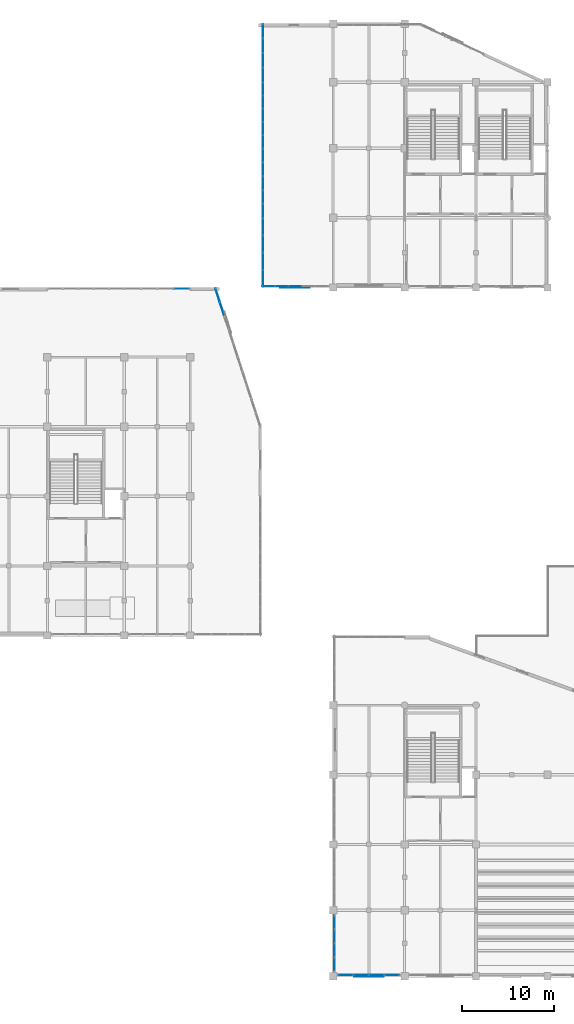
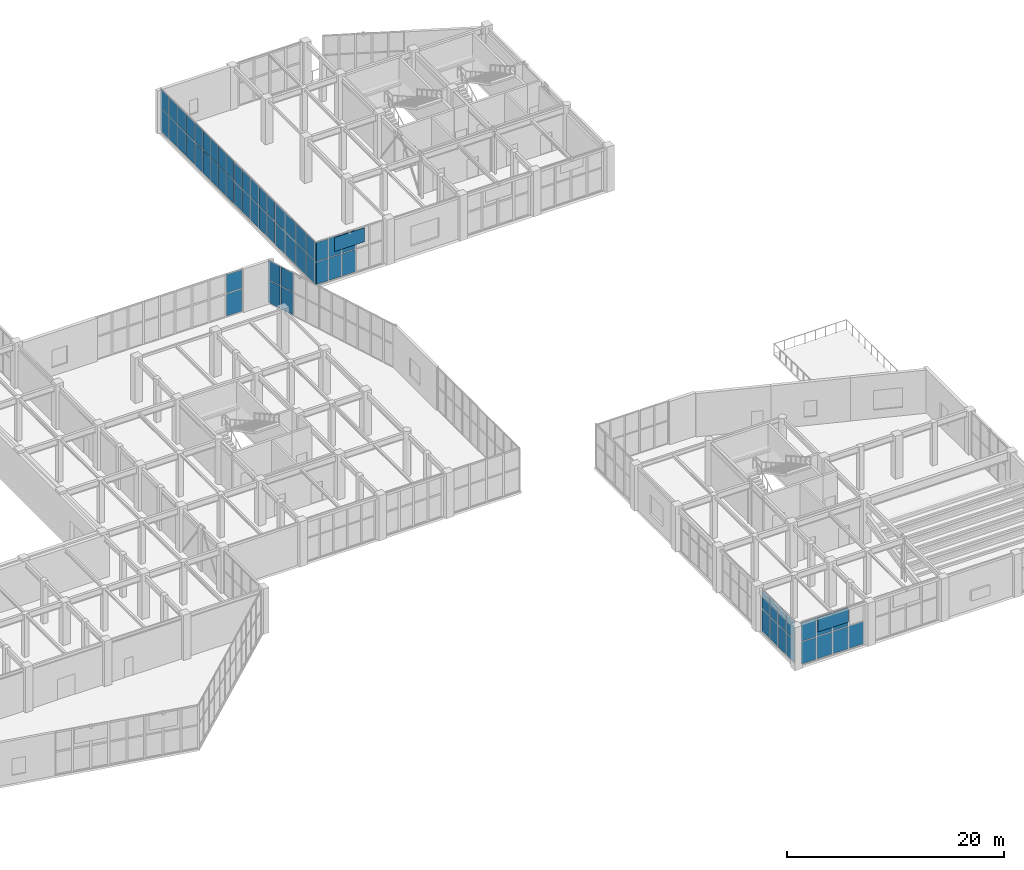
# One storey, part 102 of 128: 65 plates, 9 elements without a shape of their own.
"""IFC4 building model written with IfcOpenShell, lengths in metres."""

import ifcopenshell
import ifcopenshell.guid

model = None  # the IFC model being written
_history = None  # IfcOwnerHistory: only IFC2X3 demands one
_inside = {}  # id of a spatial element -> (the spatial element, [elements in it])
_under = {}  # id of a project, library or spatial element -> (it, [spatial elements below it])
_declared = {}  # id of a project -> (the project, [libraries it declares])
_typed = {}  # id of a type object -> (the type object, [elements of that type])
_made_of = {}  # id of a material, layer set ... -> (it, [elements and type objects made of it])


def new_model(schema):
    """Start an empty IFC model of exactly this schema.

    Asked for "IFC4X3", IfcOpenShell would pick the latest addendum, in which some entities
    have other attributes; the version numbers below select the first issue.
    IFC2X3 requires an IfcOwnerHistory on every rooted entity: one is made here for all.
    """
    global model, _history
    if schema == "IFC4X3":
        model = ifcopenshell.file(schema_version=(4, 3, 0, 0))
    else:
        model = ifcopenshell.file(schema=schema)
    _inside.clear()
    _under.clear()
    _declared.clear()
    _typed.clear()
    _made_of.clear()
    _history = None
    if model.schema == "IFC2X3":
        org = make("IfcOrganization", Name="unknown")
        user = make(
            "IfcPersonAndOrganization",
            ThePerson=make("IfcPerson", FamilyName="unknown"),
            TheOrganization=org,
        )
        app = make(
            "IfcApplication",
            ApplicationDeveloper=org,
            Version="unknown",
            ApplicationFullName="unknown",
            ApplicationIdentifier="unknown",
        )
        _history = make(
            "IfcOwnerHistory",
            OwningUser=user,
            OwningApplication=app,
            ChangeAction="ADDED",
            CreationDate=0,
        )
    return model


def make(cls, **values):
    """One entity of the class cls with the attributes given. An attribute that is None is left unset."""
    return model.create_entity(
        cls, **{name: value for name, value in values.items() if value is not None}
    )


def rooted(cls, **values):
    """An entity with a GlobalId (a new one), such as an element, a storey or a relation."""
    return make(cls, GlobalId=ifcopenshell.guid.new(), OwnerHistory=_history, **values)


def si_unit(unit_type, name, prefix=None):
    """IfcSIUnit, for example si_unit("LENGTHUNIT", "METRE", prefix="MILLI")."""
    return make("IfcSIUnit", UnitType=unit_type, Prefix=prefix, Name=name)


def assignment(units):
    """IfcUnitAssignment: the units of a project."""
    return None if units is None else make("IfcUnitAssignment", Units=units)


def point(xyz):
    """IfcCartesianPoint."""
    return None if xyz is None else make("IfcCartesianPoint", Coordinates=xyz)


def direction(xyz):
    """IfcDirection."""
    return None if xyz is None else make("IfcDirection", DirectionRatios=xyz)


def frame(location, z_axis=None, x_axis=None):
    """IfcAxis2Placement3D, a coordinate frame: its origin and axes. An axis left out is left unset."""
    return make(
        "IfcAxis2Placement3D",
        Location=point(location),
        Axis=direction(z_axis),
        RefDirection=direction(x_axis),
    )


def frame_2d(location, x_axis=None):
    """IfcAxis2Placement2D, a coordinate frame in the plane: its origin and x axis."""
    return make(
        "IfcAxis2Placement2D", Location=point(location), RefDirection=direction(x_axis)
    )


def origin():
    """The frame at (0, 0, 0) with its axes left unset."""
    return frame((0.0, 0.0, 0.0))


def origin_2d():
    """The frame at (0, 0) in the plane with its x axis left unset."""
    return frame_2d((0.0, 0.0))


def place(relative_to, where):
    """IfcLocalPlacement: puts the frame where relative to a parent placement (None: the world)."""
    return make(
        "IfcLocalPlacement", PlacementRelTo=relative_to, RelativePlacement=where
    )


def context(
    kind, dimensions, precision=None, world=None, true_north=None, identifier=None
):
    """IfcGeometricRepresentationContext, for example the 3D "Model" context."""
    return make(
        "IfcGeometricRepresentationContext",
        ContextIdentifier=identifier,
        ContextType=kind,
        CoordinateSpaceDimension=dimensions,
        Precision=precision,
        WorldCoordinateSystem=world,
        TrueNorth=true_north,
    )


def subcontext(parent, identifier, kind, view, scale=None):
    """IfcGeometricRepresentationSubContext, for example "Body" below "Model"."""
    return make(
        "IfcGeometricRepresentationSubContext",
        ContextIdentifier=identifier,
        ContextType=kind,
        ParentContext=parent,
        TargetScale=scale,
        TargetView=view,
    )


def project(units=None, contexts=None):
    """IfcProject with its units and contexts."""
    return rooted(
        "IfcProject",
        Name="project",
        RepresentationContexts=contexts,
        UnitsInContext=assignment(units),
    )


def spatial(cls, under=None, at=None, **own):
    """A site, building, storey or space (cls), placed at a placement, below another one or the project."""
    s = rooted(cls, ObjectPlacement=at, **own)
    if under is not None:
        _under.setdefault(under.id(), (under, []))[1].append(s)
    return s


def profile(cls, at=None, kind="AREA", **sizes):
    """A parametric profile (cls). Its sizes go by their IFC names, for example OverallWidth=200.0."""
    return make(cls, ProfileType=kind, Position=at, **sizes)


def rectangle(**sizes):
    """IfcRectangleProfileDef."""
    return profile("IfcRectangleProfileDef", **sizes)


def extrude(swept, where, along, depth):
    """IfcExtrudedAreaSolid: the profile swept, set in the frame where, extruded along a direction by depth."""
    return make(
        "IfcExtrudedAreaSolid",
        SweptArea=swept,
        Position=where,
        ExtrudedDirection=direction(along),
        Depth=depth,
    )


def shape(context_of_items, identifier, shape_type, items):
    """IfcShapeRepresentation: the items that make up one representation, for example the "Body"."""
    return make(
        "IfcShapeRepresentation",
        ContextOfItems=context_of_items,
        RepresentationIdentifier=identifier,
        RepresentationType=shape_type,
        Items=items,
    )


def material(Name=None, Category=None):
    """IfcMaterial."""
    return make("IfcMaterial", Name=Name, Category=Category)


def layer(
    of_material, thickness, ventilated=None, Name=None, Category=None, Priority=None
):
    """IfcMaterialLayer: one layer of a wall or slab, of a material (None: an air gap)."""
    return make(
        "IfcMaterialLayer",
        Material=of_material,
        LayerThickness=thickness,
        IsVentilated=ventilated,
        Name=Name,
        Category=Category,
        Priority=Priority,
    )


def layer_set(layers, Name=None):
    """IfcMaterialLayerSet."""
    return make("IfcMaterialLayerSet", MaterialLayers=layers, LayerSetName=Name)


def made_of(thing, what):
    """Note that an element or type object is made of a material, layer set ...; save() writes the relation."""
    if what is not None:
        _made_of.setdefault(what.id(), (what, []))[1].append(thing)
    return thing


def type_object(cls, material=None, **own):
    """A type object (cls), such as IfcWallType, which elements share."""
    return made_of(rooted(cls, **own), material)


def element(
    cls,
    number,
    at=None,
    inside=None,
    cuts=None,
    type_object=None,
    material=None,
    context=None,
    identifier="Body",
    shape_type=None,
    held_by="IfcProductDefinitionShape",
    body=None,
    shapes=None,
    **own,
):
    """One element of the class cls, such as IfcWall. Its Tag is "e" and its number.

    at: its placement. inside: the storey or other place that contains it. cuts: it is an
    opening in that element (IfcRelVoidsElement). A single representation is given by context,
    identifier, shape_type and body (its items); several are given by shapes. held_by: the class
    of the entity that holds the representations. save() writes the other relations.
    """
    e = rooted(cls, Tag="e%d" % number, ObjectPlacement=at, **own)
    if body is not None:
        shapes = [shape(context, identifier, shape_type, body)]
    if shapes is not None:
        e.Representation = make(held_by, Representations=shapes)
    if inside is not None:
        _inside.setdefault(inside.id(), (inside, []))[1].append(e)
    if cuts is not None:
        rooted(
            "IfcRelVoidsElement", RelatingBuildingElement=cuts, RelatedOpeningElement=e
        )
    if type_object is not None:
        _typed.setdefault(type_object.id(), (type_object, []))[1].append(e)
    return made_of(e, material)


def aggregate(whole, parts):
    """IfcRelAggregates: a whole, such as a stair, and the parts it consists of."""
    return rooted("IfcRelAggregates", RelatingObject=whole, RelatedObjects=parts)


def save(model, path):
    """Write the relations noted so far, then the file.

    IfcRelAggregates (storeys below a building ...), IfcRelContainedInSpatialStructure (elements
    in a storey), IfcRelDefinesByType, IfcRelAssociatesMaterial and IfcRelDeclares: one each for
    every whole, place, type object, material and project.
    """
    for whole, parts in _under.values():
        aggregate(whole, parts)
    for where, things in _inside.values():
        rooted(
            "IfcRelContainedInSpatialStructure",
            RelatedElements=things,
            RelatingStructure=where,
        )
    for kind, things in _typed.values():
        rooted("IfcRelDefinesByType", RelatedObjects=things, RelatingType=kind)
    for what, things in _made_of.values():
        rooted("IfcRelAssociatesMaterial", RelatedObjects=things, RelatingMaterial=what)
    for by, libraries in _declared.values():
        rooted("IfcRelDeclares", RelatingContext=by, RelatedDefinitions=libraries)
    model.write(path)


model = new_model("IFC4")

# Units and contexts
model_context = context("Model", 3, precision=1e-05, world=origin(), true_north=direction((0.0, 1.0)))
body_context = subcontext(model_context, "Body", "Model", "MODEL_VIEW")
ifc_project = project(units=[si_unit("LENGTHUNIT", "METRE"), si_unit("AREAUNIT", "SQUARE_METRE"), si_unit("VOLUMEUNIT", "CUBIC_METRE"), si_unit("PLANEANGLEUNIT", "RADIAN"), si_unit("MASSUNIT", "GRAM", prefix="KILO")], contexts=[model_context])

# Site, building, storey
site_placement = place(None, origin())
site = spatial("IfcSite", under=ifc_project, at=site_placement, CompositionType="ELEMENT")
building_placement = place(site_placement, origin())
building = spatial("IfcBuilding", under=site, at=building_placement, Name="Xicomal Pleat Aquarium", CompositionType="ELEMENT")
storey_placement = place(building_placement, frame((0.0, 0.0, 5.39990234375)))
storey = spatial("IfcBuildingStorey", under=building, at=storey_placement, Name="L02", CompositionType="ELEMENT", Elevation=5.39990234375)

# Curtain wall, plates
ifc_material_1 = material(Name="Bronze anodized aluminium 6063-T6", Category="aluminium")
ifc_layer_1 = layer(ifc_material_1, 0.159912109375)
ifc_layer_set_1 = layer_set([ifc_layer_1], Name="Bronze anodized aluminium 6063-T6")
curtain_wall_type_1 = type_object("IfcCurtainWallType", Name="CW-SYS-07", PredefinedType="NOTDEFINED", material=ifc_layer_set_1)
curtain_wall_1_placement = place(storey_placement, origin())
curtain_wall_1 = element("IfcCurtainWall", 1, at=curtain_wall_1_placement, inside=storey, type_object=curtain_wall_type_1, Name="L02 unitised curtain wall CW-L02-076", PredefinedType="NOTDEFINED")
ifc_material_2 = material(Name="Insulated low-E laminated glass", Category="glass")
ifc_layer_2 = layer(ifc_material_2, 0.028076171875)
ifc_layer_set_2 = layer_set([ifc_layer_2], Name="Insulated low-E laminated glass")
plate_type_1 = type_object("IfcPlateType", Name="CWP-GLZ-28", PredefinedType="CURTAIN_PANEL", material=ifc_layer_set_2)
plate_1_placement = place(storey_placement, frame((140.21630859375, 0.93994140625, 0.074951171875), z_axis=(0.0, 0.0, 1.0), x_axis=(-1.0, 0.0, 0.0)))
plate_1 = element("IfcPlate", 2, at=plate_1_placement, type_object=plate_type_1, Name="CW-07 panel 1.1", PredefinedType="CURTAIN_PANEL", context=body_context, shape_type="SweptSolid", body=[
    extrude(rectangle(XDim=1.577392578125, YDim=0.028076171875, at=origin_2d()), origin(), (0.0, 0.0, 1.0), 2.50146484375),
])
plate_2_placement = place(storey_placement, frame((138.544921875, 0.93994140625, 0.074951171875), z_axis=(0.0, 0.0, 1.0), x_axis=(-1.0, 0.0, 0.0)))
plate_2 = element("IfcPlate", 3, at=plate_2_placement, type_object=plate_type_1, Name="CW-07 panel 2.1", PredefinedType="CURTAIN_PANEL", context=body_context, shape_type="SweptSolid", body=[
    extrude(rectangle(XDim=1.614990234375, YDim=0.028076171875, at=origin_2d()), origin(), (0.0, 0.0, 1.0), 2.50146484375),
])
plate_3_placement = place(storey_placement, frame((138.544921875, 0.93994140625, 2.6513671875), z_axis=(0.0, 0.0, 1.0), x_axis=(-1.0, 0.0, 0.0)))
plate_3 = element("IfcPlate", 4, at=plate_3_placement, type_object=plate_type_1, Name="CW-07 panel 2.2", PredefinedType="CURTAIN_PANEL", context=body_context, shape_type="SweptSolid", body=[
    extrude(rectangle(XDim=1.614990234375, YDim=0.028076171875, at=origin_2d()), origin(), (0.0, 0.0, 1.0), 2.113525390625),
])
plate_4_placement = place(storey_placement, frame((136.85498046875, 0.93994140625, 0.074951171875), z_axis=(0.0, 0.0, 1.0), x_axis=(-1.0, 0.0, 0.0)))
plate_4 = element("IfcPlate", 5, at=plate_4_placement, type_object=plate_type_1, Name="CW-07 panel 3.1", PredefinedType="CURTAIN_PANEL", context=body_context, shape_type="SweptSolid", body=[
    extrude(rectangle(XDim=1.614990234375, YDim=0.028076171875, at=origin_2d()), origin(), (0.0, 0.0, 1.0), 2.50146484375),
])
plate_5_placement = place(storey_placement, frame((136.85498046875, 0.93994140625, 2.6513671875), z_axis=(0.0, 0.0, 1.0), x_axis=(-1.0, 0.0, 0.0)))
plate_5 = element("IfcPlate", 6, at=plate_5_placement, type_object=plate_type_1, Name="CW-07 panel 3.2", PredefinedType="CURTAIN_PANEL", context=body_context, shape_type="SweptSolid", body=[
    extrude(rectangle(XDim=1.614990234375, YDim=0.028076171875, at=origin_2d()), origin(), (0.0, 0.0, 1.0), 2.113525390625),
])
plate_6_placement = place(storey_placement, frame((135.183837890625, 0.93994140625, 0.074951171875), z_axis=(0.0, 0.0, 1.0), x_axis=(-1.0, 0.0, 0.0)))
plate_6 = element("IfcPlate", 7, at=plate_6_placement, type_object=plate_type_1, Name="CW-07 panel 4.1", PredefinedType="CURTAIN_PANEL", context=body_context, shape_type="SweptSolid", body=[
    extrude(rectangle(XDim=1.577392578125, YDim=0.028076171875, at=origin_2d()), origin(), (0.0, 0.0, 1.0), 2.50146484375),
])
plate_7_placement = place(storey_placement, frame((135.183837890625, 0.93994140625, 2.6513671875), z_axis=(0.0, 0.0, 1.0), x_axis=(-1.0, 0.0, 0.0)))
plate_7 = element("IfcPlate", 8, at=plate_7_placement, type_object=plate_type_1, Name="CW-07 panel 4.2", PredefinedType="CURTAIN_PANEL", context=body_context, shape_type="SweptSolid", body=[
    extrude(rectangle(XDim=1.577392578125, YDim=0.028076171875, at=origin_2d()), origin(), (0.0, 0.0, 1.0), 2.113525390625),
])
aggregate(curtain_wall_1, [plate_1, plate_2, plate_3, plate_4, plate_5, plate_6, plate_7])

ifc_material_3 = material(Name="Bronze anodized aluminium 6063-T6", Category="aluminium")
ifc_layer_3 = layer(ifc_material_3, 0.159912109375)
ifc_layer_set_3 = layer_set([ifc_layer_3], Name="Bronze anodized aluminium 6063-T6")
curtain_wall_type_2 = type_object("IfcCurtainWallType", Name="CW-SYS-02", PredefinedType="NOTDEFINED", material=ifc_layer_set_3)
curtain_wall_2_placement = place(storey_placement, origin())
curtain_wall_2 = element("IfcCurtainWall", 9, at=curtain_wall_2_placement, inside=storey, type_object=curtain_wall_type_2, Name="L02 unitised curtain wall CW-L02-084", PredefinedType="NOTDEFINED")
plate_8_placement = place(storey_placement, frame((129.639892578125, 76.139892578125, 0.06494140625), z_axis=(0.0, 0.0, 1.0), x_axis=(-1.0, 0.0, 0.0)))
plate_8 = element("IfcPlate", 10, at=plate_8_placement, type_object=plate_type_1, Name="CW-02 panel 3.1", PredefinedType="CURTAIN_PANEL", context=body_context, shape_type="SweptSolid", body=[
    extrude(rectangle(XDim=1.39111328125, YDim=0.028076171875, at=origin_2d()), origin(), (0.0, 0.0, 1.0), 2.526611328125),
])
plate_9_placement = place(storey_placement, frame((129.639892578125, 76.139892578125, 2.65673828125), z_axis=(0.0, 0.0, 1.0), x_axis=(-1.0, 0.0, 0.0)))
plate_9 = element("IfcPlate", 11, at=plate_9_placement, type_object=plate_type_1, Name="CW-02 panel 3.2", PredefinedType="CURTAIN_PANEL", context=body_context, shape_type="SweptSolid", body=[
    extrude(rectangle(XDim=1.39111328125, YDim=0.028076171875, at=origin_2d()), origin(), (0.0, 0.0, 1.0), 2.138427734375),
])
plate_10_placement = place(storey_placement, frame((128.18408203125, 76.139892578125, 0.06494140625), z_axis=(0.0, 0.0, 1.0), x_axis=(-1.0, 0.0, 0.0)))
plate_10 = element("IfcPlate", 12, at=plate_10_placement, type_object=plate_type_1, Name="CW-02 panel 4.1", PredefinedType="CURTAIN_PANEL", context=body_context, shape_type="SweptSolid", body=[
    extrude(rectangle(XDim=1.39111328125, YDim=0.028076171875, at=origin_2d()), origin(), (0.0, 0.0, 1.0), 2.526611328125),
])
plate_11_placement = place(storey_placement, frame((128.18408203125, 76.139892578125, 2.65673828125), z_axis=(0.0, 0.0, 1.0), x_axis=(-1.0, 0.0, 0.0)))
plate_11 = element("IfcPlate", 13, at=plate_11_placement, type_object=plate_type_1, Name="CW-02 panel 4.2", PredefinedType="CURTAIN_PANEL", context=body_context, shape_type="SweptSolid", body=[
    extrude(rectangle(XDim=1.39111328125, YDim=0.028076171875, at=origin_2d()), origin(), (0.0, 0.0, 1.0), 2.138427734375),
])
plate_12_placement = place(storey_placement, frame((126.744140625, 76.139892578125, 0.06494140625), z_axis=(0.0, 0.0, 1.0), x_axis=(-1.0, 0.0, 0.0)))
plate_12 = element("IfcPlate", 14, at=plate_12_placement, type_object=plate_type_1, Name="CW-02 panel 5.1", PredefinedType="CURTAIN_PANEL", context=body_context, shape_type="SweptSolid", body=[
    extrude(rectangle(XDim=1.3583984375, YDim=0.028076171875, at=origin_2d()), origin(), (0.0, 0.0, 1.0), 2.526611328125),
])
plate_13_placement = place(storey_placement, frame((126.744140625, 76.139892578125, 2.65673828125), z_axis=(0.0, 0.0, 1.0), x_axis=(-1.0, 0.0, 0.0)))
plate_13 = element("IfcPlate", 15, at=plate_13_placement, type_object=plate_type_1, Name="CW-02 panel 5.2", PredefinedType="CURTAIN_PANEL", context=body_context, shape_type="SweptSolid", body=[
    extrude(rectangle(XDim=1.3583984375, YDim=0.028076171875, at=origin_2d()), origin(), (0.0, 0.0, 1.0), 2.138427734375),
])
aggregate(curtain_wall_2, [plate_8, plate_9, plate_10, plate_11, plate_12, plate_13])

curtain_wall_3_placement = place(storey_placement, origin())
curtain_wall_3 = element("IfcCurtainWall", 16, at=curtain_wall_3_placement, inside=storey, type_object=curtain_wall_type_1, Name="L02 unitised curtain wall CW-L02-088", PredefinedType="NOTDEFINED")
plate_14_placement = place(storey_placement, frame((126.139892578125, 99.21875, 0.0751953125), z_axis=(0.0, 0.0, 1.0), x_axis=(0.0, 1.0, 0.0)))
plate_14 = element("IfcPlate", 17, at=plate_14_placement, type_object=plate_type_1, Name="CW-07 panel 1.1", PredefinedType="CURTAIN_PANEL", context=body_context, shape_type="SweptSolid", body=[
    extrude(rectangle(XDim=1.487548828125, YDim=0.028076171875, at=origin_2d()), origin(), (0.0, 0.0, 1.0), 2.511474609375),
])
plate_15_placement = place(storey_placement, frame((126.139892578125, 99.21875, 2.66162109375), z_axis=(0.0, 0.0, 1.0), x_axis=(0.0, 1.0, 0.0)))
plate_15 = element("IfcPlate", 18, at=plate_15_placement, type_object=plate_type_1, Name="CW-07 panel 1.2", PredefinedType="CURTAIN_PANEL", context=body_context, shape_type="SweptSolid", body=[
    extrude(rectangle(XDim=1.487548828125, YDim=0.028076171875, at=origin_2d()), origin(), (0.0, 0.0, 1.0), 2.12353515625),
])
plate_16_placement = place(storey_placement, frame((126.139892578125, 100.800048828125, 0.0751953125), z_axis=(0.0, 0.0, 1.0), x_axis=(0.0, 1.0, 0.0)))
plate_16 = element("IfcPlate", 19, at=plate_16_placement, type_object=plate_type_1, Name="CW-07 panel 2.1", PredefinedType="CURTAIN_PANEL", context=body_context, shape_type="SweptSolid", body=[
    extrude(rectangle(XDim=1.52490234375, YDim=0.028076171875, at=origin_2d()), origin(), (0.0, 0.0, 1.0), 2.511474609375),
])
plate_17_placement = place(storey_placement, frame((126.139892578125, 100.800048828125, 2.66162109375), z_axis=(0.0, 0.0, 1.0), x_axis=(0.0, 1.0, 0.0)))
plate_17 = element("IfcPlate", 20, at=plate_17_placement, type_object=plate_type_1, Name="CW-07 panel 2.2", PredefinedType="CURTAIN_PANEL", context=body_context, shape_type="SweptSolid", body=[
    extrude(rectangle(XDim=1.52490234375, YDim=0.028076171875, at=origin_2d()), origin(), (0.0, 0.0, 1.0), 2.12353515625),
])
plate_18_placement = place(storey_placement, frame((126.139892578125, 102.39990234375, 0.0751953125), z_axis=(0.0, 0.0, 1.0), x_axis=(0.0, 1.0, 0.0)))
plate_18 = element("IfcPlate", 21, at=plate_18_placement, type_object=plate_type_1, Name="CW-07 panel 3.1", PredefinedType="CURTAIN_PANEL", context=body_context, shape_type="SweptSolid", body=[
    extrude(rectangle(XDim=1.52490234375, YDim=0.028076171875, at=origin_2d()), origin(), (0.0, 0.0, 1.0), 2.511474609375),
])
plate_19_placement = place(storey_placement, frame((126.139892578125, 102.39990234375, 2.66162109375), z_axis=(0.0, 0.0, 1.0), x_axis=(0.0, 1.0, 0.0)))
plate_19 = element("IfcPlate", 22, at=plate_19_placement, type_object=plate_type_1, Name="CW-07 panel 3.2", PredefinedType="CURTAIN_PANEL", context=body_context, shape_type="SweptSolid", body=[
    extrude(rectangle(XDim=1.52490234375, YDim=0.028076171875, at=origin_2d()), origin(), (0.0, 0.0, 1.0), 2.12353515625),
])
plate_20_placement = place(storey_placement, frame((126.139892578125, 103.981201171875, 0.0751953125), z_axis=(0.0, 0.0, 1.0), x_axis=(0.0, 1.0, 0.0)))
plate_20 = element("IfcPlate", 23, at=plate_20_placement, type_object=plate_type_1, Name="CW-07 panel 4.1", PredefinedType="CURTAIN_PANEL", context=body_context, shape_type="SweptSolid", body=[
    extrude(rectangle(XDim=1.487548828125, YDim=0.028076171875, at=origin_2d()), origin(), (0.0, 0.0, 1.0), 2.511474609375),
])
plate_21_placement = place(storey_placement, frame((126.139892578125, 103.981201171875, 2.66162109375), z_axis=(0.0, 0.0, 1.0), x_axis=(0.0, 1.0, 0.0)))
plate_21 = element("IfcPlate", 24, at=plate_21_placement, type_object=plate_type_1, Name="CW-07 panel 4.2", PredefinedType="CURTAIN_PANEL", context=body_context, shape_type="SweptSolid", body=[
    extrude(rectangle(XDim=1.487548828125, YDim=0.028076171875, at=origin_2d()), origin(), (0.0, 0.0, 1.0), 2.12353515625),
])
aggregate(curtain_wall_3, [plate_14, plate_15, plate_16, plate_17, plate_18, plate_19, plate_20, plate_21])

ifc_material_4 = material(Name="Bronze anodized aluminium 6063-T6", Category="aluminium")
ifc_layer_4 = layer(ifc_material_4, 0.159912109375)
ifc_layer_set_4 = layer_set([ifc_layer_4], Name="Bronze anodized aluminium 6063-T6")
curtain_wall_type_3 = type_object("IfcCurtainWallType", Name="CW-SYS-12", PredefinedType="NOTDEFINED", material=ifc_layer_set_4)
curtain_wall_4_placement = place(storey_placement, origin())
curtain_wall_4 = element("IfcCurtainWall", 25, at=curtain_wall_4_placement, inside=storey, type_object=curtain_wall_type_3, Name="L02 unitised curtain wall CW-L02-077", PredefinedType="NOTDEFINED")
ifc_material_5 = material(Name="Insulated low-E laminated glass", Category="glass")
ifc_layer_5 = layer(ifc_material_5, 0.031982421875)
ifc_layer_set_5 = layer_set([ifc_layer_5], Name="Insulated low-E laminated glass")
plate_type_2 = type_object("IfcPlateType", Name="CWP-GLZ-32", PredefinedType="CURTAIN_PANEL", material=ifc_layer_set_5)
plate_22_placement = place(storey_placement, frame((133.93994140625, 2.111328125, 0.0849609375), z_axis=(0.0, 0.0, 1.0), x_axis=(0.0, 1.0, 0.0)))
plate_22 = element("IfcPlate", 26, at=plate_22_placement, type_object=plate_type_2, Name="CW-12 panel 1.1", PredefinedType="CURTAIN_PANEL", context=body_context, shape_type="SweptSolid", body=[
    extrude(rectangle(XDim=1.41259765625, YDim=0.031982421875, at=origin_2d()), origin(), (0.0, 0.0, 1.0), 2.486572265625),
])
plate_23_placement = place(storey_placement, frame((133.93994140625, 2.111328125, 2.65673828125), z_axis=(0.0, 0.0, 1.0), x_axis=(0.0, 1.0, 0.0)))
plate_23 = element("IfcPlate", 27, at=plate_23_placement, type_object=plate_type_2, Name="CW-12 panel 1.2", PredefinedType="CURTAIN_PANEL", context=body_context, shape_type="SweptSolid", body=[
    extrude(rectangle(XDim=1.41259765625, YDim=0.031982421875, at=origin_2d()), origin(), (0.0, 0.0, 1.0), 2.098388671875),
])
plate_24_placement = place(storey_placement, frame((133.93994140625, 3.6298828125, 0.0849609375), z_axis=(0.0, 0.0, 1.0), x_axis=(0.0, 1.0, 0.0)))
plate_24 = element("IfcPlate", 28, at=plate_24_placement, type_object=plate_type_2, Name="CW-12 panel 2.1", PredefinedType="CURTAIN_PANEL", context=body_context, shape_type="SweptSolid", body=[
    extrude(rectangle(XDim=1.455078125, YDim=0.031982421875, at=origin_2d()), origin(), (0.0, 0.0, 1.0), 2.486572265625),
])
plate_25_placement = place(storey_placement, frame((133.93994140625, 3.6298828125, 2.65673828125), z_axis=(0.0, 0.0, 1.0), x_axis=(0.0, 1.0, 0.0)))
plate_25 = element("IfcPlate", 29, at=plate_25_placement, type_object=plate_type_2, Name="CW-12 panel 2.2", PredefinedType="CURTAIN_PANEL", context=body_context, shape_type="SweptSolid", body=[
    extrude(rectangle(XDim=1.455078125, YDim=0.031982421875, at=origin_2d()), origin(), (0.0, 0.0, 1.0), 2.098388671875),
])
plate_26_placement = place(storey_placement, frame((133.93994140625, 5.169921875, 0.0849609375), z_axis=(0.0, 0.0, 1.0), x_axis=(0.0, 1.0, 0.0)))
plate_26 = element("IfcPlate", 30, at=plate_26_placement, type_object=plate_type_2, Name="CW-12 panel 3.1", PredefinedType="CURTAIN_PANEL", context=body_context, shape_type="SweptSolid", body=[
    extrude(rectangle(XDim=1.455078125, YDim=0.031982421875, at=origin_2d()), origin(), (0.0, 0.0, 1.0), 2.486572265625),
])
plate_27_placement = place(storey_placement, frame((133.93994140625, 5.169921875, 2.65673828125), z_axis=(0.0, 0.0, 1.0), x_axis=(0.0, 1.0, 0.0)))
plate_27 = element("IfcPlate", 31, at=plate_27_placement, type_object=plate_type_2, Name="CW-12 panel 3.2", PredefinedType="CURTAIN_PANEL", context=body_context, shape_type="SweptSolid", body=[
    extrude(rectangle(XDim=1.455078125, YDim=0.031982421875, at=origin_2d()), origin(), (0.0, 0.0, 1.0), 2.098388671875),
])
plate_28_placement = place(storey_placement, frame((133.93994140625, 6.688720703125, 0.0849609375), z_axis=(0.0, 0.0, 1.0), x_axis=(0.0, 1.0, 0.0)))
plate_28 = element("IfcPlate", 32, at=plate_28_placement, type_object=plate_type_2, Name="CW-12 panel 4.1", PredefinedType="CURTAIN_PANEL", context=body_context, shape_type="SweptSolid", body=[
    extrude(rectangle(XDim=1.41259765625, YDim=0.031982421875, at=origin_2d()), origin(), (0.0, 0.0, 1.0), 2.486572265625),
])
plate_29_placement = place(storey_placement, frame((133.93994140625, 6.688720703125, 2.65673828125), z_axis=(0.0, 0.0, 1.0), x_axis=(0.0, 1.0, 0.0)))
plate_29 = element("IfcPlate", 33, at=plate_29_placement, type_object=plate_type_2, Name="CW-12 panel 4.2", PredefinedType="CURTAIN_PANEL", context=body_context, shape_type="SweptSolid", body=[
    extrude(rectangle(XDim=1.41259765625, YDim=0.031982421875, at=origin_2d()), origin(), (0.0, 0.0, 1.0), 2.098388671875),
])
aggregate(curtain_wall_4, [plate_22, plate_23, plate_24, plate_25, plate_26, plate_27, plate_28, plate_29])

curtain_wall_5_placement = place(storey_placement, origin())
curtain_wall_5 = element("IfcCurtainWall", 34, at=curtain_wall_5_placement, inside=storey, type_object=curtain_wall_type_1, Name="L02 unitised curtain wall CW-L02-085", PredefinedType="NOTDEFINED")
plate_30_placement = place(storey_placement, frame((126.139892578125, 76.96875, 0.0751953125), z_axis=(0.0, 0.0, 1.0), x_axis=(0.0, 1.0, 0.0)))
plate_30 = element("IfcPlate", 35, at=plate_30_placement, type_object=plate_type_2, Name="CW-07 panel 1.1", PredefinedType="CURTAIN_PANEL", context=body_context, shape_type="SweptSolid", body=[
    extrude(rectangle(XDim=1.78759765625, YDim=0.031982421875, at=origin_2d()), origin(), (0.0, 0.0, 1.0), 2.511474609375),
])
plate_31_placement = place(storey_placement, frame((126.139892578125, 76.96875, 2.66162109375), z_axis=(0.0, 0.0, 1.0), x_axis=(0.0, 1.0, 0.0)))
plate_31 = element("IfcPlate", 36, at=plate_31_placement, type_object=plate_type_2, Name="CW-07 panel 1.2", PredefinedType="CURTAIN_PANEL", context=body_context, shape_type="SweptSolid", body=[
    extrude(rectangle(XDim=1.78759765625, YDim=0.031982421875, at=origin_2d()), origin(), (0.0, 0.0, 1.0), 2.12353515625),
])
plate_32_placement = place(storey_placement, frame((126.139892578125, 78.85009765625, 0.0751953125), z_axis=(0.0, 0.0, 1.0), x_axis=(0.0, 1.0, 0.0)))
plate_32 = element("IfcPlate", 37, at=plate_32_placement, type_object=plate_type_2, Name="CW-07 panel 2.1", PredefinedType="CURTAIN_PANEL", context=body_context, shape_type="SweptSolid", body=[
    extrude(rectangle(XDim=1.824951171875, YDim=0.031982421875, at=origin_2d()), origin(), (0.0, 0.0, 1.0), 2.511474609375),
])
plate_33_placement = place(storey_placement, frame((126.139892578125, 78.85009765625, 2.66162109375), z_axis=(0.0, 0.0, 1.0), x_axis=(0.0, 1.0, 0.0)))
plate_33 = element("IfcPlate", 38, at=plate_33_placement, type_object=plate_type_2, Name="CW-07 panel 2.2", PredefinedType="CURTAIN_PANEL", context=body_context, shape_type="SweptSolid", body=[
    extrude(rectangle(XDim=1.824951171875, YDim=0.031982421875, at=origin_2d()), origin(), (0.0, 0.0, 1.0), 2.12353515625),
])
plate_34_placement = place(storey_placement, frame((126.139892578125, 80.75, 0.0751953125), z_axis=(0.0, 0.0, 1.0), x_axis=(0.0, 1.0, 0.0)))
plate_34 = element("IfcPlate", 39, at=plate_34_placement, type_object=plate_type_2, Name="CW-07 panel 3.1", PredefinedType="CURTAIN_PANEL", context=body_context, shape_type="SweptSolid", body=[
    extrude(rectangle(XDim=1.824951171875, YDim=0.031982421875, at=origin_2d()), origin(), (0.0, 0.0, 1.0), 2.511474609375),
])
plate_35_placement = place(storey_placement, frame((126.139892578125, 80.75, 2.66162109375), z_axis=(0.0, 0.0, 1.0), x_axis=(0.0, 1.0, 0.0)))
plate_35 = element("IfcPlate", 40, at=plate_35_placement, type_object=plate_type_2, Name="CW-07 panel 3.2", PredefinedType="CURTAIN_PANEL", context=body_context, shape_type="SweptSolid", body=[
    extrude(rectangle(XDim=1.824951171875, YDim=0.031982421875, at=origin_2d()), origin(), (0.0, 0.0, 1.0), 2.12353515625),
])
plate_36_placement = place(storey_placement, frame((126.139892578125, 82.631103515625, 0.0751953125), z_axis=(0.0, 0.0, 1.0), x_axis=(0.0, 1.0, 0.0)))
plate_36 = element("IfcPlate", 41, at=plate_36_placement, type_object=plate_type_2, Name="CW-07 panel 4.1", PredefinedType="CURTAIN_PANEL", context=body_context, shape_type="SweptSolid", body=[
    extrude(rectangle(XDim=1.78759765625, YDim=0.031982421875, at=origin_2d()), origin(), (0.0, 0.0, 1.0), 2.511474609375),
])
plate_37_placement = place(storey_placement, frame((126.139892578125, 82.631103515625, 2.66162109375), z_axis=(0.0, 0.0, 1.0), x_axis=(0.0, 1.0, 0.0)))
plate_37 = element("IfcPlate", 42, at=plate_37_placement, type_object=plate_type_2, Name="CW-07 panel 4.2", PredefinedType="CURTAIN_PANEL", context=body_context, shape_type="SweptSolid", body=[
    extrude(rectangle(XDim=1.78759765625, YDim=0.031982421875, at=origin_2d()), origin(), (0.0, 0.0, 1.0), 2.12353515625),
])
aggregate(curtain_wall_5, [plate_30, plate_31, plate_32, plate_33, plate_34, plate_35, plate_36, plate_37])

curtain_wall_6_placement = place(storey_placement, origin())
curtain_wall_6 = element("IfcCurtainWall", 43, at=curtain_wall_6_placement, inside=storey, type_object=curtain_wall_type_3, Name="L02 unitised curtain wall CW-L02-086", PredefinedType="NOTDEFINED")
ifc_material_6 = material(Name="Insulated low-E laminated glass", Category="glass")
ifc_layer_6 = layer(ifc_material_6, 0.035888671875)
ifc_layer_set_6 = layer_set([ifc_layer_6], Name="Insulated low-E laminated glass")
plate_type_3 = type_object("IfcPlateType", Name="CWP-GLZ-36", PredefinedType="CURTAIN_PANEL", material=ifc_layer_set_6)
plate_38_placement = place(storey_placement, frame((126.139892578125, 84.381103515625, 0.0849609375), z_axis=(0.0, 0.0, 1.0), x_axis=(0.0, 1.0, 0.0)))
plate_38 = element("IfcPlate", 44, at=plate_38_placement, type_object=plate_type_3, Name="CW-12 panel 1.1", PredefinedType="CURTAIN_PANEL", context=body_context, shape_type="SweptSolid", body=[
    extrude(rectangle(XDim=1.392578125, YDim=0.035888671875, at=origin_2d()), origin(), (0.0, 0.0, 1.0), 2.49658203125),
])
plate_39_placement = place(storey_placement, frame((126.139892578125, 84.381103515625, 2.66650390625), z_axis=(0.0, 0.0, 1.0), x_axis=(0.0, 1.0, 0.0)))
plate_39 = element("IfcPlate", 45, at=plate_39_placement, type_object=plate_type_3, Name="CW-12 panel 1.2", PredefinedType="CURTAIN_PANEL", context=body_context, shape_type="SweptSolid", body=[
    extrude(rectangle(XDim=1.392578125, YDim=0.035888671875, at=origin_2d()), origin(), (0.0, 0.0, 1.0), 2.1083984375),
])
plate_40_placement = place(storey_placement, frame((126.139892578125, 85.8798828125, 0.0849609375), z_axis=(0.0, 0.0, 1.0), x_axis=(0.0, 1.0, 0.0)))
plate_40 = element("IfcPlate", 46, at=plate_40_placement, type_object=plate_type_3, Name="CW-12 panel 2.1", PredefinedType="CURTAIN_PANEL", context=body_context, shape_type="SweptSolid", body=[
    extrude(rectangle(XDim=1.43505859375, YDim=0.035888671875, at=origin_2d()), origin(), (0.0, 0.0, 1.0), 2.49658203125),
])
plate_41_placement = place(storey_placement, frame((126.139892578125, 85.8798828125, 2.66650390625), z_axis=(0.0, 0.0, 1.0), x_axis=(0.0, 1.0, 0.0)))
plate_41 = element("IfcPlate", 47, at=plate_41_placement, type_object=plate_type_3, Name="CW-12 panel 2.2", PredefinedType="CURTAIN_PANEL", context=body_context, shape_type="SweptSolid", body=[
    extrude(rectangle(XDim=1.43505859375, YDim=0.035888671875, at=origin_2d()), origin(), (0.0, 0.0, 1.0), 2.1083984375),
])
plate_42_placement = place(storey_placement, frame((126.139892578125, 87.39990234375, 0.0849609375), z_axis=(0.0, 0.0, 1.0), x_axis=(0.0, 1.0, 0.0)))
plate_42 = element("IfcPlate", 48, at=plate_42_placement, type_object=plate_type_3, Name="CW-12 panel 3.1", PredefinedType="CURTAIN_PANEL", context=body_context, shape_type="SweptSolid", body=[
    extrude(rectangle(XDim=1.43505859375, YDim=0.035888671875, at=origin_2d()), origin(), (0.0, 0.0, 1.0), 2.49658203125),
])
plate_43_placement = place(storey_placement, frame((126.139892578125, 87.39990234375, 2.66650390625), z_axis=(0.0, 0.0, 1.0), x_axis=(0.0, 1.0, 0.0)))
plate_43 = element("IfcPlate", 49, at=plate_43_placement, type_object=plate_type_3, Name="CW-12 panel 3.2", PredefinedType="CURTAIN_PANEL", context=body_context, shape_type="SweptSolid", body=[
    extrude(rectangle(XDim=1.43505859375, YDim=0.035888671875, at=origin_2d()), origin(), (0.0, 0.0, 1.0), 2.1083984375),
])
plate_44_placement = place(storey_placement, frame((126.139892578125, 88.919921875, 0.0849609375), z_axis=(0.0, 0.0, 1.0), x_axis=(0.0, 1.0, 0.0)))
plate_44 = element("IfcPlate", 50, at=plate_44_placement, type_object=plate_type_3, Name="CW-12 panel 4.1", PredefinedType="CURTAIN_PANEL", context=body_context, shape_type="SweptSolid", body=[
    extrude(rectangle(XDim=1.43505859375, YDim=0.035888671875, at=origin_2d()), origin(), (0.0, 0.0, 1.0), 2.49658203125),
])
plate_45_placement = place(storey_placement, frame((126.139892578125, 88.919921875, 2.66650390625), z_axis=(0.0, 0.0, 1.0), x_axis=(0.0, 1.0, 0.0)))
plate_45 = element("IfcPlate", 51, at=plate_45_placement, type_object=plate_type_3, Name="CW-12 panel 4.2", PredefinedType="CURTAIN_PANEL", context=body_context, shape_type="SweptSolid", body=[
    extrude(rectangle(XDim=1.43505859375, YDim=0.035888671875, at=origin_2d()), origin(), (0.0, 0.0, 1.0), 2.1083984375),
])
plate_46_placement = place(storey_placement, frame((126.139892578125, 90.418701171875, 0.0849609375), z_axis=(0.0, 0.0, 1.0), x_axis=(0.0, 1.0, 0.0)))
plate_46 = element("IfcPlate", 52, at=plate_46_placement, type_object=plate_type_3, Name="CW-12 panel 5.1", PredefinedType="CURTAIN_PANEL", context=body_context, shape_type="SweptSolid", body=[
    extrude(rectangle(XDim=1.392578125, YDim=0.035888671875, at=origin_2d()), origin(), (0.0, 0.0, 1.0), 2.49658203125),
])
plate_47_placement = place(storey_placement, frame((126.139892578125, 90.418701171875, 2.66650390625), z_axis=(0.0, 0.0, 1.0), x_axis=(0.0, 1.0, 0.0)))
plate_47 = element("IfcPlate", 53, at=plate_47_placement, type_object=plate_type_3, Name="CW-12 panel 5.2", PredefinedType="CURTAIN_PANEL", context=body_context, shape_type="SweptSolid", body=[
    extrude(rectangle(XDim=1.392578125, YDim=0.035888671875, at=origin_2d()), origin(), (0.0, 0.0, 1.0), 2.1083984375),
])
aggregate(curtain_wall_6, [plate_38, plate_39, plate_40, plate_41, plate_42, plate_43, plate_44, plate_45, plate_46, plate_47])

curtain_wall_7_placement = place(storey_placement, origin())
curtain_wall_7 = element("IfcCurtainWall", 54, at=curtain_wall_7_placement, inside=storey, type_object=curtain_wall_type_3, Name="L02 unitised curtain wall CW-L02-110", PredefinedType="NOTDEFINED")
plate_48_placement = place(storey_placement, frame((117.27880859375, 75.860107421875, 0.0849609375), z_axis=(0.0, 0.0, 1.0), x_axis=(1.0, 0.0, 0.0)))
plate_48 = element("IfcPlate", 55, at=plate_48_placement, type_object=plate_type_3, Name="CW-12 panel 4.1", PredefinedType="CURTAIN_PANEL", context=body_context, shape_type="SweptSolid", body=[
    extrude(rectangle(XDim=1.672607421875, YDim=0.035888671875, at=origin_2d()), origin(), (0.0, 0.0, 1.0), 2.49658203125),
])
plate_49_placement = place(storey_placement, frame((117.27880859375, 75.860107421875, 2.66650390625), z_axis=(0.0, 0.0, 1.0), x_axis=(1.0, 0.0, 0.0)))
plate_49 = element("IfcPlate", 56, at=plate_49_placement, type_object=plate_type_3, Name="CW-12 panel 4.2", PredefinedType="CURTAIN_PANEL", context=body_context, shape_type="SweptSolid", body=[
    extrude(rectangle(XDim=1.672607421875, YDim=0.035888671875, at=origin_2d()), origin(), (0.0, 0.0, 1.0), 2.1083984375),
])
aggregate(curtain_wall_7, [plate_48, plate_49])

curtain_wall_8_placement = place(storey_placement, origin())
curtain_wall_8 = element("IfcCurtainWall", 57, at=curtain_wall_8_placement, inside=storey, type_object=curtain_wall_type_2, Name="L02 unitised curtain wall CW-L02-087", PredefinedType="NOTDEFINED")
ifc_material_7 = material(Name="Insulated low-E laminated glass", Category="glass")
ifc_layer_7 = layer(ifc_material_7, 0.0419921875)
ifc_layer_set_7 = layer_set([ifc_layer_7], Name="Insulated low-E laminated glass")
plate_type_4 = type_object("IfcPlateType", Name="CWP-GLZ-42", PredefinedType="CURTAIN_PANEL", material=ifc_layer_set_7)
plate_50_placement = place(storey_placement, frame((126.139892578125, 91.936279296875, 0.06494140625), z_axis=(0.0, 0.0, 1.0), x_axis=(0.0, 1.0, 0.0)))
plate_50 = element("IfcPlate", 58, at=plate_50_placement, type_object=plate_type_4, Name="CW-02 panel 1.1", PredefinedType="CURTAIN_PANEL", context=body_context, shape_type="SweptSolid", body=[
    extrude(rectangle(XDim=1.342529296875, YDim=0.0419921875, at=origin_2d()), origin(), (0.0, 0.0, 1.0), 2.526611328125),
])
plate_51_placement = place(storey_placement, frame((126.139892578125, 91.936279296875, 2.65673828125), z_axis=(0.0, 0.0, 1.0), x_axis=(0.0, 1.0, 0.0)))
plate_51 = element("IfcPlate", 59, at=plate_51_placement, type_object=plate_type_4, Name="CW-02 panel 1.2", PredefinedType="CURTAIN_PANEL", context=body_context, shape_type="SweptSolid", body=[
    extrude(rectangle(XDim=1.342529296875, YDim=0.0419921875, at=origin_2d()), origin(), (0.0, 0.0, 1.0), 2.138427734375),
])
plate_52_placement = place(storey_placement, frame((126.139892578125, 93.360107421875, 0.06494140625), z_axis=(0.0, 0.0, 1.0), x_axis=(0.0, 1.0, 0.0)))
plate_52 = element("IfcPlate", 60, at=plate_52_placement, type_object=plate_type_4, Name="CW-02 panel 2.1", PredefinedType="CURTAIN_PANEL", context=body_context, shape_type="SweptSolid", body=[
    extrude(rectangle(XDim=1.375, YDim=0.0419921875, at=origin_2d()), origin(), (0.0, 0.0, 1.0), 2.526611328125),
])
plate_53_placement = place(storey_placement, frame((126.139892578125, 93.360107421875, 2.65673828125), z_axis=(0.0, 0.0, 1.0), x_axis=(0.0, 1.0, 0.0)))
plate_53 = element("IfcPlate", 61, at=plate_53_placement, type_object=plate_type_4, Name="CW-02 panel 2.2", PredefinedType="CURTAIN_PANEL", context=body_context, shape_type="SweptSolid", body=[
    extrude(rectangle(XDim=1.375, YDim=0.0419921875, at=origin_2d()), origin(), (0.0, 0.0, 1.0), 2.138427734375),
])
plate_54_placement = place(storey_placement, frame((126.139892578125, 94.800048828125, 0.06494140625), z_axis=(0.0, 0.0, 1.0), x_axis=(0.0, 1.0, 0.0)))
plate_54 = element("IfcPlate", 62, at=plate_54_placement, type_object=plate_type_4, Name="CW-02 panel 3.1", PredefinedType="CURTAIN_PANEL", context=body_context, shape_type="SweptSolid", body=[
    extrude(rectangle(XDim=1.375, YDim=0.0419921875, at=origin_2d()), origin(), (0.0, 0.0, 1.0), 2.526611328125),
])
plate_55_placement = place(storey_placement, frame((126.139892578125, 94.800048828125, 2.65673828125), z_axis=(0.0, 0.0, 1.0), x_axis=(0.0, 1.0, 0.0)))
plate_55 = element("IfcPlate", 63, at=plate_55_placement, type_object=plate_type_4, Name="CW-02 panel 3.2", PredefinedType="CURTAIN_PANEL", context=body_context, shape_type="SweptSolid", body=[
    extrude(rectangle(XDim=1.375, YDim=0.0419921875, at=origin_2d()), origin(), (0.0, 0.0, 1.0), 2.138427734375),
])
plate_56_placement = place(storey_placement, frame((126.139892578125, 96.239990234375, 0.06494140625), z_axis=(0.0, 0.0, 1.0), x_axis=(0.0, 1.0, 0.0)))
plate_56 = element("IfcPlate", 64, at=plate_56_placement, type_object=plate_type_4, Name="CW-02 panel 4.1", PredefinedType="CURTAIN_PANEL", context=body_context, shape_type="SweptSolid", body=[
    extrude(rectangle(XDim=1.375, YDim=0.0419921875, at=origin_2d()), origin(), (0.0, 0.0, 1.0), 2.526611328125),
])
plate_57_placement = place(storey_placement, frame((126.139892578125, 96.239990234375, 2.65673828125), z_axis=(0.0, 0.0, 1.0), x_axis=(0.0, 1.0, 0.0)))
plate_57 = element("IfcPlate", 65, at=plate_57_placement, type_object=plate_type_4, Name="CW-02 panel 4.2", PredefinedType="CURTAIN_PANEL", context=body_context, shape_type="SweptSolid", body=[
    extrude(rectangle(XDim=1.375, YDim=0.0419921875, at=origin_2d()), origin(), (0.0, 0.0, 1.0), 2.138427734375),
])
plate_58_placement = place(storey_placement, frame((126.139892578125, 97.663818359375, 0.06494140625), z_axis=(0.0, 0.0, 1.0), x_axis=(0.0, 1.0, 0.0)))
plate_58 = element("IfcPlate", 66, at=plate_58_placement, type_object=plate_type_4, Name="CW-02 panel 5.1", PredefinedType="CURTAIN_PANEL", context=body_context, shape_type="SweptSolid", body=[
    extrude(rectangle(XDim=1.342529296875, YDim=0.0419921875, at=origin_2d()), origin(), (0.0, 0.0, 1.0), 2.526611328125),
])
plate_59_placement = place(storey_placement, frame((126.139892578125, 97.663818359375, 2.65673828125), z_axis=(0.0, 0.0, 1.0), x_axis=(0.0, 1.0, 0.0)))
plate_59 = element("IfcPlate", 67, at=plate_59_placement, type_object=plate_type_4, Name="CW-02 panel 5.2", PredefinedType="CURTAIN_PANEL", context=body_context, shape_type="SweptSolid", body=[
    extrude(rectangle(XDim=1.342529296875, YDim=0.0419921875, at=origin_2d()), origin(), (0.0, 0.0, 1.0), 2.138427734375),
])
aggregate(curtain_wall_8, [plate_50, plate_51, plate_52, plate_53, plate_54, plate_55, plate_56, plate_57, plate_58, plate_59])

curtain_wall_9_placement = place(storey_placement, origin())
curtain_wall_9 = element("IfcCurtainWall", 68, at=curtain_wall_9_placement, inside=storey, type_object=curtain_wall_type_2, Name="L02 unitised curtain wall CW-L02-111", PredefinedType="NOTDEFINED")
plate_60_placement = place(storey_placement, frame((121.178955078125, 75.181396484375, 0.06494140625), z_axis=(0.0, 0.0, 1.0), x_axis=(0.309086072339, -0.95103406873, 0.0)))
plate_60 = element("IfcPlate", 69, at=plate_60_placement, type_object=plate_type_4, Name="CW-02 panel 1.1", PredefinedType="CURTAIN_PANEL", context=body_context, shape_type="SweptSolid", body=[
    extrude(rectangle(XDim=1.500732421875, YDim=0.0419921875, at=origin_2d()), origin(), (0.0, 0.0, 1.0), 2.526611328125),
])
plate_61_placement = place(storey_placement, frame((121.178955078125, 75.181396484375, 2.65673828125), z_axis=(0.0, 0.0, 1.0), x_axis=(0.309086072339, -0.95103406873, 0.0)))
plate_61 = element("IfcPlate", 70, at=plate_61_placement, type_object=plate_type_4, Name="CW-02 panel 1.2", PredefinedType="CURTAIN_PANEL", context=body_context, shape_type="SweptSolid", body=[
    extrude(rectangle(XDim=1.500732421875, YDim=0.0419921875, at=origin_2d()), origin(), (0.0, 0.0, 1.0), 2.138427734375),
])
plate_62_placement = place(storey_placement, frame((121.66796875, 73.677001953125, 0.06494140625), z_axis=(0.0, 0.0, 1.0), x_axis=(0.309086072339, -0.95103406873, 0.0)))
plate_62 = element("IfcPlate", 71, at=plate_62_placement, type_object=plate_type_4, Name="CW-02 panel 2.1", PredefinedType="CURTAIN_PANEL", context=body_context, shape_type="SweptSolid", body=[
    extrude(rectangle(XDim=1.533203125, YDim=0.0419921875, at=origin_2d()), origin(), (0.0, 0.0, 1.0), 2.526611328125),
])
plate_63_placement = place(storey_placement, frame((121.66796875, 73.677001953125, 2.65673828125), z_axis=(0.0, 0.0, 1.0), x_axis=(0.309086072339, -0.95103406873, 0.0)))
plate_63 = element("IfcPlate", 72, at=plate_63_placement, type_object=plate_type_4, Name="CW-02 panel 2.2", PredefinedType="CURTAIN_PANEL", context=body_context, shape_type="SweptSolid", body=[
    extrude(rectangle(XDim=1.533203125, YDim=0.0419921875, at=origin_2d()), origin(), (0.0, 0.0, 1.0), 2.138427734375),
])
aggregate(curtain_wall_9, [plate_60, plate_61, plate_62, plate_63])

# Plates
ifc_material_8 = material(Name="Perforated bronze anodized aluminium", Category="aluminium")
ifc_layer_8 = layer(ifc_material_8, 0.02392578125)
ifc_layer_set_8 = layer_set([ifc_layer_8], Name="Perforated bronze anodized aluminium")
plate_type_5 = type_object("IfcPlateType", Name="PLT-SUN-24", PredefinedType="USERDEFINED", material=ifc_layer_set_8)
for number, where, z_axis, x_axis, name in (
    (73, (137.699951171875, 0.780029296875, 3.199951171875), (0.0, 0.0, 1.0), (-1.0, 0.0, 0.0), "L02 perforated solar sunshade 44"),
    (74, (129.639892578125, 75.97998046875, 3.219970703125), (0.0, 0.0, 1.0), (-1.0, 0.0, 0.0), "L02 perforated solar sunshade 47"),
):
    element("IfcPlate", number, at=place(storey_placement, frame(where, z_axis=z_axis, x_axis=x_axis)), inside=storey, type_object=plate_type_5, Name=name, ObjectType="SUNSHADE PANEL", PredefinedType="USERDEFINED", context=body_context, shape_type="SweptSolid", body=[
        extrude(rectangle(XDim=3.199951171875, YDim=0.02392578125, at=origin_2d()), origin(), (0.0, 0.0, 1.0), 1.60009765625),
    ])

save(model, "model.ifc")
